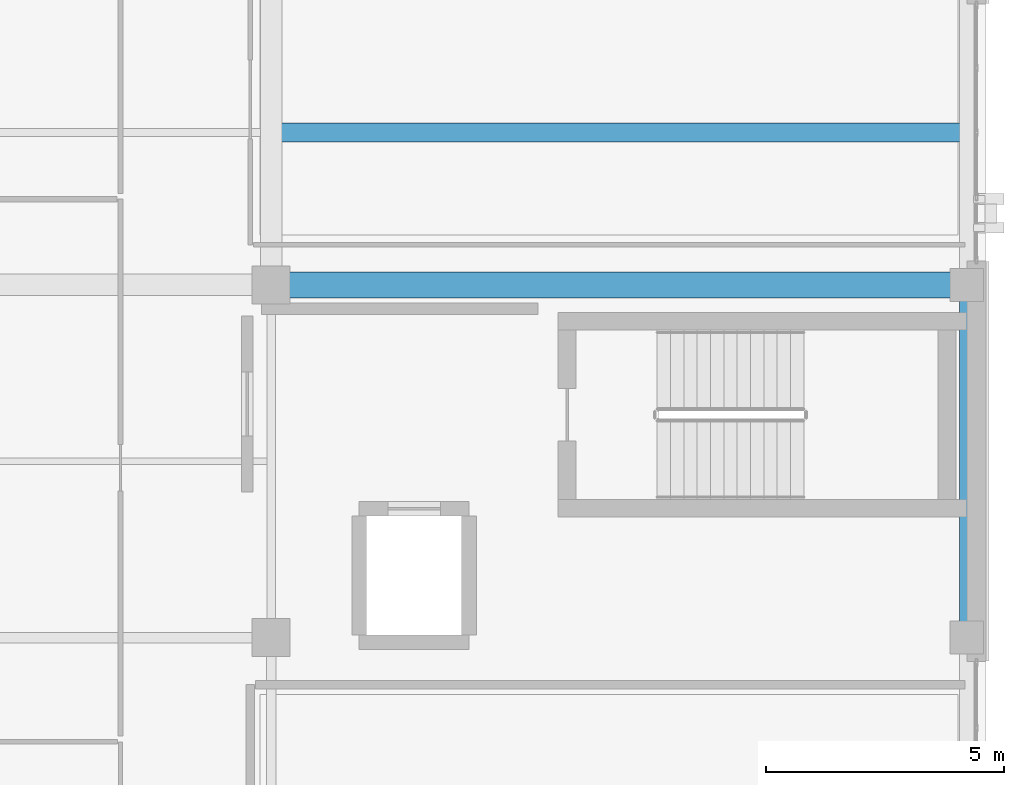
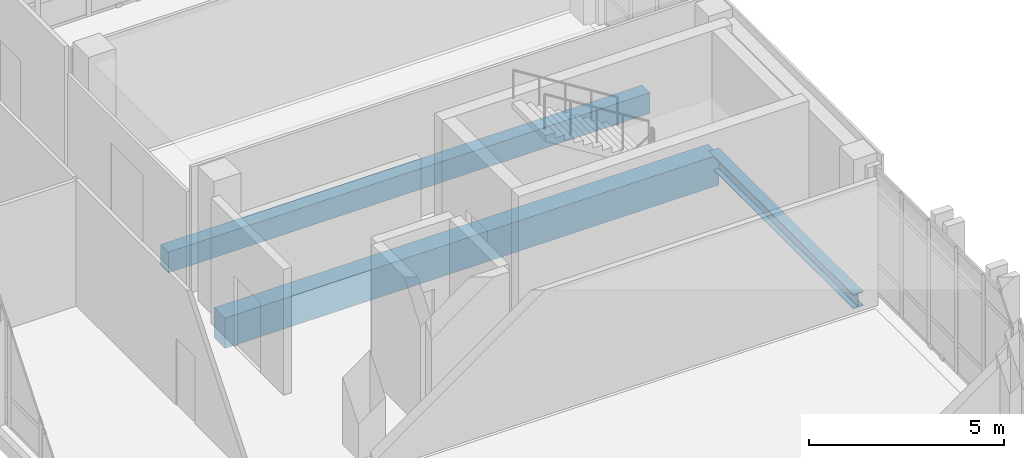
# One storey, part 103 of 158: 3 beams.
"""IFC4 building model written with IfcOpenShell, lengths in metres."""

from ifc_helpers import new_model, si_unit, direction, frame, origin, origin_2d, place, context, subcontext, project, spatial, rectangle, i_section, extrude, material, material_profile, profile_set, type_object, element, save


model = new_model("IFC4")

# Units and contexts
model_context = context("Model", 3, precision=1e-05, world=origin(), true_north=direction((0.0, 1.0)))
body_context = subcontext(model_context, "Body", "Model", "MODEL_VIEW")
ifc_project = project(units=[si_unit("LENGTHUNIT", "METRE"), si_unit("AREAUNIT", "SQUARE_METRE"), si_unit("VOLUMEUNIT", "CUBIC_METRE"), si_unit("PLANEANGLEUNIT", "RADIAN"), si_unit("MASSUNIT", "GRAM", prefix="KILO")], contexts=[model_context])

# Site, building, storey
site_placement = place(None, origin())
site = spatial("IfcSite", under=ifc_project, at=site_placement, CompositionType="ELEMENT")
building_placement = place(site_placement, origin())
building = spatial("IfcBuilding", under=site, at=building_placement, Name="Qalavern Law Courts", CompositionType="ELEMENT")
storey_placement = place(building_placement, frame((0.0, 0.0, 18.60009765625)))
storey = spatial("IfcBuildingStorey", under=building, at=storey_placement, Name="L04", CompositionType="ELEMENT", Elevation=18.60009765625)

# Beams
ifc_material_1 = material(Name="Concrete C40/50", Category="concrete")
ifc_material_profile_1 = material_profile(ifc_material_1, rectangle(XDim=0.550048828125, YDim=0.949951171875, at=origin_2d()), Name="RC 550x950")
ifc_profile_set_1 = profile_set([ifc_material_profile_1], Name="Concrete C40/50")
beam_type_1 = type_object("IfcBeamType", Name="STR-BM-RC550x950", PredefinedType="BEAM", material=ifc_profile_set_1)
beam_1_placement = place(storey_placement, frame((91.800048828125, 72.800048828125, -0.755126953125), z_axis=(1.0, 0.0, 0.0), x_axis=(0.0, 1.0, 0.0)))
element("IfcBeam", 1, at=beam_1_placement, inside=storey, type_object=beam_type_1, Name="V4 X-beam 5-2 L04", PredefinedType="BEAM", context=body_context, shape_type="SweptSolid", body=[
    extrude(rectangle(XDim=0.550048828125, YDim=0.949951171875, at=origin_2d()), origin(), (0.0, 0.0, 1.0), 14.599853515625),
])
ifc_material_2 = material(Name="Concrete C35/45", Category="concrete")
ifc_material_profile_2 = material_profile(ifc_material_2, rectangle(XDim=0.39990234375, YDim=0.64990234375, at=origin_2d()), Name="RC 400x650")
ifc_profile_set_2 = profile_set([ifc_material_profile_2], Name="Concrete C35/45")
beam_type_2 = type_object("IfcBeamType", Name="STR-JST-RC400x650", PredefinedType="JOIST", material=ifc_profile_set_2)
beam_2_placement = place(storey_placement, frame((92.02294921875, 76.0, -0.60498046875), z_axis=(1.0, 0.0, 0.0), x_axis=(0.0, 1.0, 0.0)))
element("IfcBeam", 2, at=beam_2_placement, inside=storey, type_object=beam_type_2, Name="V4 secondary joist 2.5.1 L04", PredefinedType="JOIST", context=body_context, shape_type="SweptSolid", body=[
    extrude(rectangle(XDim=0.39990234375, YDim=0.64990234375, at=origin_2d()), origin(), (0.0, 0.0, 1.0), 14.22900390625),
])
ifc_material_3 = material(Name="Steel S355", Category="steel")
ifc_material_profile_3 = material_profile(ifc_material_3, i_section(OverallWidth=0.300048828125, OverallDepth=0.449951171875, WebThickness=0.013916015625, FlangeThickness=0.02587890625, FilletRadius=0.027099609375, at=origin_2d()), Name="HEB 450")
ifc_profile_set_3 = profile_set([ifc_material_profile_3], Name="Steel S355")
beam_type_3 = type_object("IfcBeamType", Name="STR-SP-HEB450", PredefinedType="SPANDREL", material=ifc_profile_set_3)
beam_3_placement = place(storey_placement, frame((106.39990234375, 65.39990234375, -0.505126953125), z_axis=(0.0, 1.0, 0.0), x_axis=(-1.0, 0.0, 0.0)))
element("IfcBeam", 3, at=beam_3_placement, inside=storey, type_object=beam_type_3, Name="V4 Y-beam 3-4 L04", PredefinedType="SPANDREL", context=body_context, shape_type="SweptSolid", body=[
    extrude(i_section(OverallWidth=0.300048828125, OverallDepth=0.449951171875, WebThickness=0.013916015625, FlangeThickness=0.02587890625, FilletRadius=0.027099609375, at=origin_2d()), origin(), (0.0, 0.0, 1.0), 7.400146484375),
])

save(model, "model.ifc")
